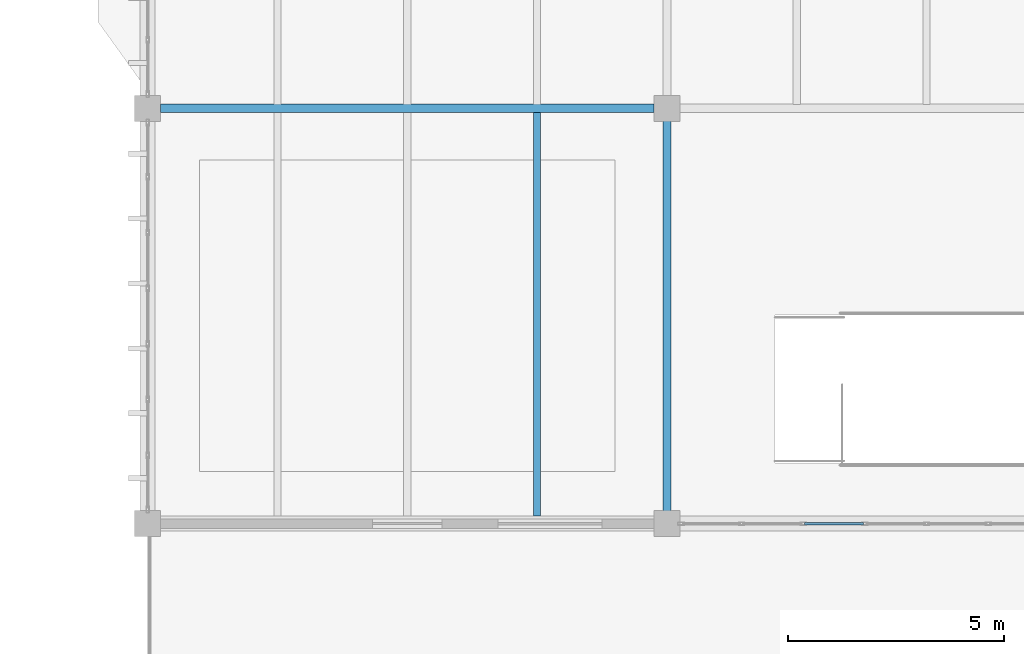
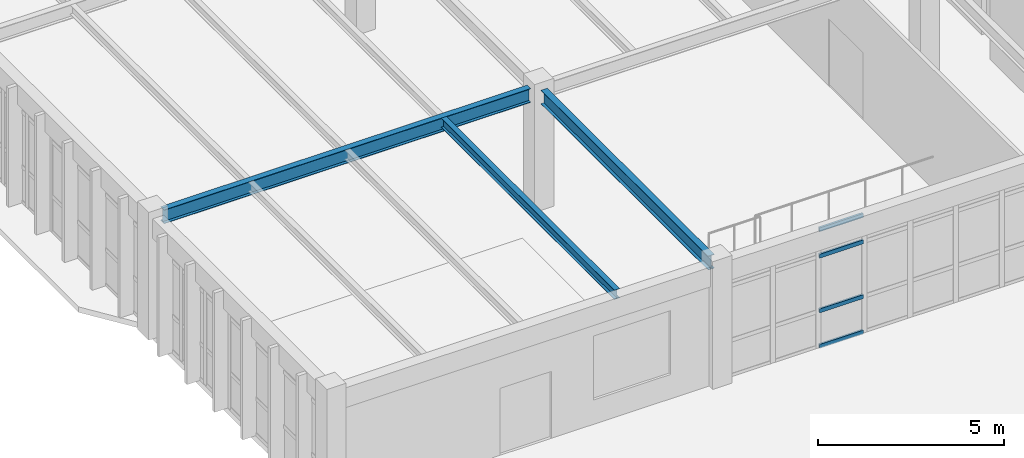
# One storey, part 27 of 83: 4 members, 3 beams, 1 element without a shape of its own.
"""IFC4 building model written with IfcOpenShell, lengths in metres."""

import ifcopenshell
import ifcopenshell.guid

model = None  # the IFC model being written
_history = None  # IfcOwnerHistory: only IFC2X3 demands one
_inside = {}  # id of a spatial element -> (the spatial element, [elements in it])
_under = {}  # id of a project, library or spatial element -> (it, [spatial elements below it])
_declared = {}  # id of a project -> (the project, [libraries it declares])
_typed = {}  # id of a type object -> (the type object, [elements of that type])
_made_of = {}  # id of a material, layer set ... -> (it, [elements and type objects made of it])


def new_model(schema):
    """Start an empty IFC model of exactly this schema.

    Asked for "IFC4X3", IfcOpenShell would pick the latest addendum, in which some entities
    have other attributes; the version numbers below select the first issue.
    IFC2X3 requires an IfcOwnerHistory on every rooted entity: one is made here for all.
    """
    global model, _history
    if schema == "IFC4X3":
        model = ifcopenshell.file(schema_version=(4, 3, 0, 0))
    else:
        model = ifcopenshell.file(schema=schema)
    _inside.clear()
    _under.clear()
    _declared.clear()
    _typed.clear()
    _made_of.clear()
    _history = None
    if model.schema == "IFC2X3":
        org = make("IfcOrganization", Name="unknown")
        user = make(
            "IfcPersonAndOrganization",
            ThePerson=make("IfcPerson", FamilyName="unknown"),
            TheOrganization=org,
        )
        app = make(
            "IfcApplication",
            ApplicationDeveloper=org,
            Version="unknown",
            ApplicationFullName="unknown",
            ApplicationIdentifier="unknown",
        )
        _history = make(
            "IfcOwnerHistory",
            OwningUser=user,
            OwningApplication=app,
            ChangeAction="ADDED",
            CreationDate=0,
        )
    return model


def make(cls, **values):
    """One entity of the class cls with the attributes given. An attribute that is None is left unset."""
    return model.create_entity(
        cls, **{name: value for name, value in values.items() if value is not None}
    )


def rooted(cls, **values):
    """An entity with a GlobalId (a new one), such as an element, a storey or a relation."""
    return make(cls, GlobalId=ifcopenshell.guid.new(), OwnerHistory=_history, **values)


def si_unit(unit_type, name, prefix=None):
    """IfcSIUnit, for example si_unit("LENGTHUNIT", "METRE", prefix="MILLI")."""
    return make("IfcSIUnit", UnitType=unit_type, Prefix=prefix, Name=name)


def assignment(units):
    """IfcUnitAssignment: the units of a project."""
    return None if units is None else make("IfcUnitAssignment", Units=units)


def point(xyz):
    """IfcCartesianPoint."""
    return None if xyz is None else make("IfcCartesianPoint", Coordinates=xyz)


def direction(xyz):
    """IfcDirection."""
    return None if xyz is None else make("IfcDirection", DirectionRatios=xyz)


def frame(location, z_axis=None, x_axis=None):
    """IfcAxis2Placement3D, a coordinate frame: its origin and axes. An axis left out is left unset."""
    return make(
        "IfcAxis2Placement3D",
        Location=point(location),
        Axis=direction(z_axis),
        RefDirection=direction(x_axis),
    )


def frame_2d(location, x_axis=None):
    """IfcAxis2Placement2D, a coordinate frame in the plane: its origin and x axis."""
    return make(
        "IfcAxis2Placement2D", Location=point(location), RefDirection=direction(x_axis)
    )


def origin():
    """The frame at (0, 0, 0) with its axes left unset."""
    return frame((0.0, 0.0, 0.0))


def origin_2d():
    """The frame at (0, 0) in the plane with its x axis left unset."""
    return frame_2d((0.0, 0.0))


def place(relative_to, where):
    """IfcLocalPlacement: puts the frame where relative to a parent placement (None: the world)."""
    return make(
        "IfcLocalPlacement", PlacementRelTo=relative_to, RelativePlacement=where
    )


def context(
    kind, dimensions, precision=None, world=None, true_north=None, identifier=None
):
    """IfcGeometricRepresentationContext, for example the 3D "Model" context."""
    return make(
        "IfcGeometricRepresentationContext",
        ContextIdentifier=identifier,
        ContextType=kind,
        CoordinateSpaceDimension=dimensions,
        Precision=precision,
        WorldCoordinateSystem=world,
        TrueNorth=true_north,
    )


def subcontext(parent, identifier, kind, view, scale=None):
    """IfcGeometricRepresentationSubContext, for example "Body" below "Model"."""
    return make(
        "IfcGeometricRepresentationSubContext",
        ContextIdentifier=identifier,
        ContextType=kind,
        ParentContext=parent,
        TargetScale=scale,
        TargetView=view,
    )


def project(units=None, contexts=None):
    """IfcProject with its units and contexts."""
    return rooted(
        "IfcProject",
        Name="project",
        RepresentationContexts=contexts,
        UnitsInContext=assignment(units),
    )


def spatial(cls, under=None, at=None, **own):
    """A site, building, storey or space (cls), placed at a placement, below another one or the project."""
    s = rooted(cls, ObjectPlacement=at, **own)
    if under is not None:
        _under.setdefault(under.id(), (under, []))[1].append(s)
    return s


def profile(cls, at=None, kind="AREA", **sizes):
    """A parametric profile (cls). Its sizes go by their IFC names, for example OverallWidth=200.0."""
    return make(cls, ProfileType=kind, Position=at, **sizes)


def hollow_rectangle(**sizes):
    """IfcRectangleHollowProfileDef."""
    return profile("IfcRectangleHollowProfileDef", **sizes)


def i_section(**sizes):
    """IfcIShapeProfileDef."""
    return profile("IfcIShapeProfileDef", **sizes)


def extrude(swept, where, along, depth):
    """IfcExtrudedAreaSolid: the profile swept, set in the frame where, extruded along a direction by depth."""
    return make(
        "IfcExtrudedAreaSolid",
        SweptArea=swept,
        Position=where,
        ExtrudedDirection=direction(along),
        Depth=depth,
    )


def shape(context_of_items, identifier, shape_type, items):
    """IfcShapeRepresentation: the items that make up one representation, for example the "Body"."""
    return make(
        "IfcShapeRepresentation",
        ContextOfItems=context_of_items,
        RepresentationIdentifier=identifier,
        RepresentationType=shape_type,
        Items=items,
    )


def material(Name=None, Category=None):
    """IfcMaterial."""
    return make("IfcMaterial", Name=Name, Category=Category)


def layer(
    of_material, thickness, ventilated=None, Name=None, Category=None, Priority=None
):
    """IfcMaterialLayer: one layer of a wall or slab, of a material (None: an air gap)."""
    return make(
        "IfcMaterialLayer",
        Material=of_material,
        LayerThickness=thickness,
        IsVentilated=ventilated,
        Name=Name,
        Category=Category,
        Priority=Priority,
    )


def layer_set(layers, Name=None):
    """IfcMaterialLayerSet."""
    return make("IfcMaterialLayerSet", MaterialLayers=layers, LayerSetName=Name)


def material_profile(
    of_material, cross_section, Name=None, Category=None, Priority=None
):
    """IfcMaterialProfile: a cross section and its material."""
    return make(
        "IfcMaterialProfile",
        Name=Name,
        Material=of_material,
        Profile=cross_section,
        Priority=Priority,
        Category=Category,
    )


def profile_set(profiles, Name=None, composite=None):
    """IfcMaterialProfileSet."""
    return make(
        "IfcMaterialProfileSet",
        Name=Name,
        MaterialProfiles=profiles,
        CompositeProfile=composite,
    )


def made_of(thing, what):
    """Note that an element or type object is made of a material, layer set ...; save() writes the relation."""
    if what is not None:
        _made_of.setdefault(what.id(), (what, []))[1].append(thing)
    return thing


def type_object(cls, material=None, **own):
    """A type object (cls), such as IfcWallType, which elements share."""
    return made_of(rooted(cls, **own), material)


def element(
    cls,
    number,
    at=None,
    inside=None,
    cuts=None,
    type_object=None,
    material=None,
    context=None,
    identifier="Body",
    shape_type=None,
    held_by="IfcProductDefinitionShape",
    body=None,
    shapes=None,
    **own,
):
    """One element of the class cls, such as IfcWall. Its Tag is "e" and its number.

    at: its placement. inside: the storey or other place that contains it. cuts: it is an
    opening in that element (IfcRelVoidsElement). A single representation is given by context,
    identifier, shape_type and body (its items); several are given by shapes. held_by: the class
    of the entity that holds the representations. save() writes the other relations.
    """
    e = rooted(cls, Tag="e%d" % number, ObjectPlacement=at, **own)
    if body is not None:
        shapes = [shape(context, identifier, shape_type, body)]
    if shapes is not None:
        e.Representation = make(held_by, Representations=shapes)
    if inside is not None:
        _inside.setdefault(inside.id(), (inside, []))[1].append(e)
    if cuts is not None:
        rooted(
            "IfcRelVoidsElement", RelatingBuildingElement=cuts, RelatedOpeningElement=e
        )
    if type_object is not None:
        _typed.setdefault(type_object.id(), (type_object, []))[1].append(e)
    return made_of(e, material)


def aggregate(whole, parts):
    """IfcRelAggregates: a whole, such as a stair, and the parts it consists of."""
    return rooted("IfcRelAggregates", RelatingObject=whole, RelatedObjects=parts)


def save(model, path):
    """Write the relations noted so far, then the file.

    IfcRelAggregates (storeys below a building ...), IfcRelContainedInSpatialStructure (elements
    in a storey), IfcRelDefinesByType, IfcRelAssociatesMaterial and IfcRelDeclares: one each for
    every whole, place, type object, material and project.
    """
    for whole, parts in _under.values():
        aggregate(whole, parts)
    for where, things in _inside.values():
        rooted(
            "IfcRelContainedInSpatialStructure",
            RelatedElements=things,
            RelatingStructure=where,
        )
    for kind, things in _typed.values():
        rooted("IfcRelDefinesByType", RelatedObjects=things, RelatingType=kind)
    for what, things in _made_of.values():
        rooted("IfcRelAssociatesMaterial", RelatedObjects=things, RelatingMaterial=what)
    for by, libraries in _declared.values():
        rooted("IfcRelDeclares", RelatingContext=by, RelatedDefinitions=libraries)
    model.write(path)


model = new_model("IFC4")

# Units and contexts
model_context = context("Model", 3, precision=1e-05, world=origin(), true_north=direction((0.0, 1.0)))
body_context = subcontext(model_context, "Body", "Model", "MODEL_VIEW")
ifc_project = project(units=[si_unit("LENGTHUNIT", "METRE"), si_unit("AREAUNIT", "SQUARE_METRE"), si_unit("VOLUMEUNIT", "CUBIC_METRE"), si_unit("PLANEANGLEUNIT", "RADIAN"), si_unit("MASSUNIT", "GRAM", prefix="KILO")], contexts=[model_context])

# Site, building, storey
site_placement = place(None, origin())
site = spatial("IfcSite", under=ifc_project, at=site_placement, CompositionType="ELEMENT")
building_placement = place(site_placement, origin())
building = spatial("IfcBuilding", under=site, at=building_placement, Name="Pandanus Reach Market Hall", CompositionType="ELEMENT")
storey_placement = place(building_placement, frame((0.0, 0.0, 10.199951171875)))
storey = spatial("IfcBuildingStorey", under=building, at=storey_placement, Name="L02", CompositionType="ELEMENT", Elevation=10.199951171875)

# Beams
ifc_material_1 = material(Name="Steel Grade 350 (350 MPa)", Category="steel")
ifc_material_profile_1 = material_profile(ifc_material_1, i_section(OverallWidth=0.18994140625, OverallDepth=0.45703125, WebThickness=0.009033203125, FlangeThickness=0.014404296875, at=origin_2d()), Name="460UB74.6", Category="LoadBearing")
ifc_profile_set_1 = profile_set([ifc_material_profile_1], Name="Steel Grade 350 (350 MPa)")
beam_type_1 = type_object("IfcBeamType", Name="BM-UB460-I", PredefinedType="BEAM", material=ifc_profile_set_1)
beam_1_placement = place(storey_placement, frame((144.298095703125, 28.800048828125, 3.72119140625), z_axis=(1.0, 0.0, 0.0), x_axis=(0.0, 1.0, 0.0)))
element("IfcBeam", 1, at=beam_1_placement, inside=storey, type_object=beam_type_1, Name="Framing beam BM-UB460-I L02.440", PredefinedType="BEAM", context=body_context, shape_type="SweptSolid", body=[
    extrude(i_section(OverallWidth=0.18994140625, OverallDepth=0.45703125, WebThickness=0.009033203125, FlangeThickness=0.014404296875, at=origin_2d()), origin(), (0.0, 0.0, 1.0), 11.40380859375),
])
beam_2_placement = place(storey_placement, frame((156.0, 19.498046875, 3.72119140625), z_axis=(0.0, 1.0, 0.0), x_axis=(-1.0, 0.0, 0.0)))
element("IfcBeam", 2, at=beam_2_placement, inside=storey, type_object=beam_type_1, Name="Framing beam BM-UB460-I L02.468", PredefinedType="BEAM", context=body_context, shape_type="SweptSolid", body=[
    extrude(i_section(OverallWidth=0.18994140625, OverallDepth=0.45703125, WebThickness=0.009033203125, FlangeThickness=0.014404296875, at=origin_2d()), origin(), (0.0, 0.0, 1.0), 9.00390625),
])

# Curtain wall, members
ifc_material_2 = material(Name="Bronze anodised aluminium and low-E glass", Category="aluminium")
ifc_layer = layer(ifc_material_2, 0.159912109375, Name="CW-30")
ifc_layer_set = layer_set([ifc_layer], Name="Bronze anodised aluminium and low-E glass")
curtain_wall_type = type_object("IfcCurtainWallType", Name="CW-30", PredefinedType="NOTDEFINED", material=ifc_layer_set)
curtain_wall_placement = place(storey_placement, origin())
curtain_wall = element("IfcCurtainWall", 3, at=curtain_wall_placement, inside=storey, type_object=curtain_wall_type, Name="Glazed curtain wall CW-30 CW-0100", PredefinedType="NOTDEFINED")
ifc_material_3 = material(Name="Bronze anodised aluminium", Category="aluminium")
ifc_material_profile_2 = material_profile(ifc_material_3, hollow_rectangle(XDim=0.06494140625, YDim=0.1298828125, WallThickness=0.00390625, at=origin_2d()), Name="ALU65x130", Category="LoadBearing")
ifc_profile_set_2 = profile_set([ifc_material_profile_2], Name="Bronze anodised aluminium")
member_type = type_object("IfcMemberType", Name="CW-T1", PredefinedType="USERDEFINED", material=ifc_profile_set_2)
member_1_placement = place(storey_placement, frame((159.1826171875, 19.199951171875, 0.032470703125), z_axis=(1.0, 0.0, 0.0), x_axis=(0.0, 1.0, 0.0)))
member_1 = element("IfcMember", 4, at=member_1_placement, type_object=member_type, Name="CW-30 transom 3.1", ObjectType="TRANSOM", PredefinedType="USERDEFINED", context=body_context, shape_type="SweptSolid", body=[
    extrude(hollow_rectangle(XDim=0.06494140625, YDim=0.1298828125, WallThickness=0.00390625, at=origin_2d()), origin(), (0.0, 0.0, 1.0), 1.35986328125),
])
member_2_placement = place(storey_placement, frame((159.1826171875, 19.199951171875, 1.199951171875), z_axis=(1.0, 0.0, 0.0), x_axis=(0.0, 1.0, 0.0)))
member_2 = element("IfcMember", 5, at=member_2_placement, type_object=member_type, Name="CW-30 transom 3.2", ObjectType="TRANSOM", PredefinedType="USERDEFINED", context=body_context, shape_type="SweptSolid", body=[
    extrude(hollow_rectangle(XDim=0.06494140625, YDim=0.1298828125, WallThickness=0.00390625, at=origin_2d()), origin(), (0.0, 0.0, 1.0), 1.35986328125),
])
member_3_placement = place(storey_placement, frame((159.1826171875, 19.199951171875, 3.0), z_axis=(1.0, 0.0, 0.0), x_axis=(0.0, 1.0, 0.0)))
member_3 = element("IfcMember", 6, at=member_3_placement, type_object=member_type, Name="CW-30 transom 3.3", ObjectType="TRANSOM", PredefinedType="USERDEFINED", context=body_context, shape_type="SweptSolid", body=[
    extrude(hollow_rectangle(XDim=0.06494140625, YDim=0.1298828125, WallThickness=0.00390625, at=origin_2d()), origin(), (0.0, 0.0, 1.0), 1.35986328125),
])
member_4_placement = place(storey_placement, frame((159.1826171875, 19.199951171875, 3.867431640625), z_axis=(1.0, 0.0, 0.0), x_axis=(0.0, 1.0, 0.0)))
member_4 = element("IfcMember", 7, at=member_4_placement, type_object=member_type, Name="CW-30 transom 3.4", ObjectType="TRANSOM", PredefinedType="USERDEFINED", context=body_context, shape_type="SweptSolid", body=[
    extrude(hollow_rectangle(XDim=0.06494140625, YDim=0.1298828125, WallThickness=0.00390625, at=origin_2d()), origin(), (0.0, 0.0, 1.0), 1.35986328125),
])
aggregate(curtain_wall, [member_1, member_2, member_3, member_4])

# Beam
ifc_material_profile_3 = material_profile(ifc_material_1, i_section(OverallWidth=0.1650390625, OverallDepth=0.303955078125, WebThickness=0.006103515625, FlangeThickness=0.01025390625, at=origin_2d()), Name="310UB40.4", Category="LoadBearing")
ifc_profile_set_3 = profile_set([ifc_material_profile_3], Name="Steel Grade 350 (350 MPa)")
beam_type_2 = type_object("IfcBeamType", Name="JS-UB310-I", PredefinedType="JOIST", material=ifc_profile_set_3)
beam_3_placement = place(storey_placement, frame((153.0, 19.373046875, 3.797607421875), z_axis=(0.0, 1.0, 0.0), x_axis=(-1.0, 0.0, 0.0)))
element("IfcBeam", 8, at=beam_3_placement, inside=storey, type_object=beam_type_2, Name="Secondary joist JS-UB310-I L02.491", PredefinedType="JOIST", context=body_context, shape_type="SweptSolid", body=[
    extrude(i_section(OverallWidth=0.1650390625, OverallDepth=0.303955078125, WebThickness=0.006103515625, FlangeThickness=0.01025390625, at=origin_2d()), origin(), (0.0, 0.0, 1.0), 9.333984375),
])

save(model, "model.ifc")
